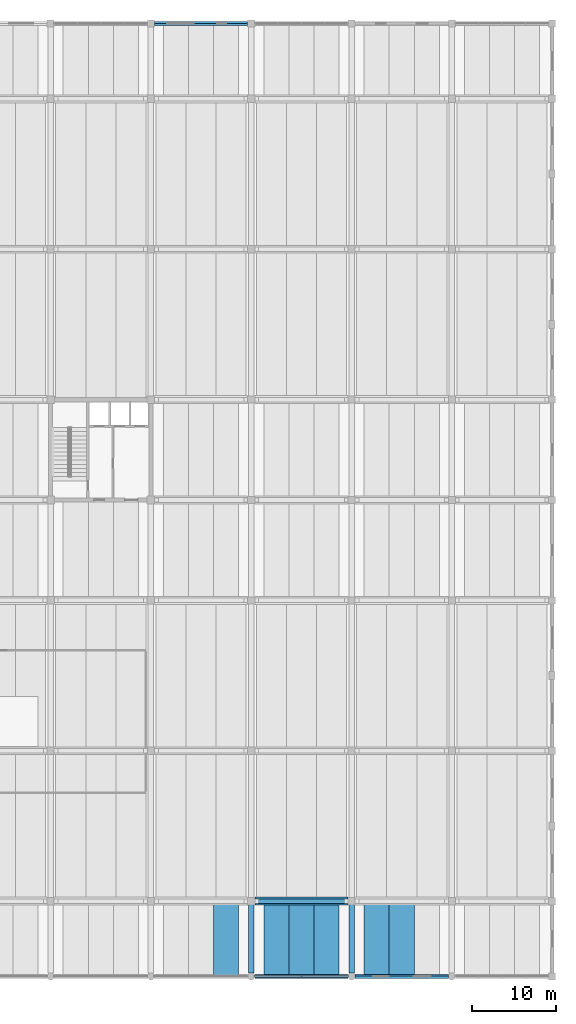
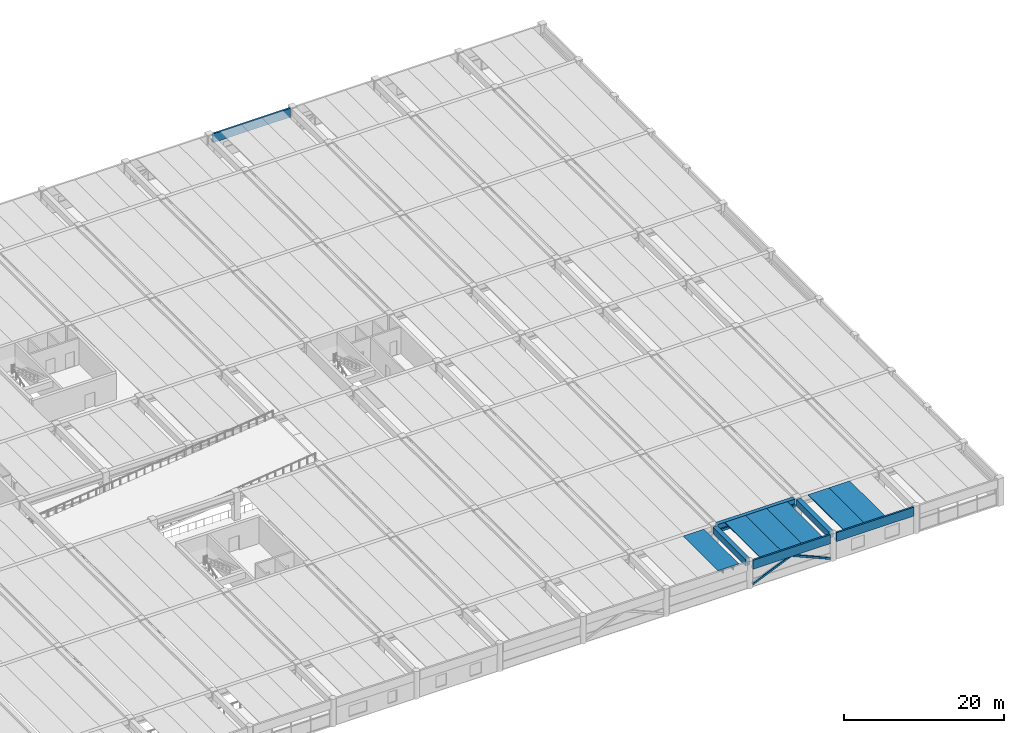
# One storey, part 22 of 50: 12 beams, 2 members.
"""IFC4 building model written with IfcOpenShell, lengths in metres."""

from ifc_helpers import new_model, si_unit, direction, frame, origin, origin_2d, place, context, subcontext, project, spatial, polyline, rectangle, hollow_rectangle, outline, extrude, material, material_profile, profile_set, type_object, element, save


model = new_model("IFC4")

# Units and contexts
model_context = context("Model", 3, precision=1e-05, world=origin(), true_north=direction((0.0, 1.0)))
body_context = subcontext(model_context, "Body", "Model", "MODEL_VIEW")
ifc_project = project(units=[si_unit("LENGTHUNIT", "METRE"), si_unit("AREAUNIT", "SQUARE_METRE"), si_unit("VOLUMEUNIT", "CUBIC_METRE"), si_unit("PLANEANGLEUNIT", "RADIAN"), si_unit("MASSUNIT", "GRAM", prefix="KILO")], contexts=[model_context])

# Site, building, storey
site_placement = place(None, origin())
site = spatial("IfcSite", under=ifc_project, at=site_placement, CompositionType="ELEMENT")
building_placement = place(site_placement, origin())
building = spatial("IfcBuilding", under=site, at=building_placement, Name="Girod Span Mobility Hub", CompositionType="ELEMENT")
storey_placement = place(building_placement, frame((0.0, 0.0, 5.39990234375)))
storey = spatial("IfcBuildingStorey", under=building, at=storey_placement, Name="L01", CompositionType="ELEMENT", Elevation=5.39990234375)

# Beams
ifc_material_1 = material(Name="Concrete C50/60", Category="concrete")
ifc_material_profile_1 = material_profile(ifc_material_1, outline(polyline([(-1.5, 0.35009765625), (-1.5, 0.2548828125), (-0.840087890625, 0.2548828125), (-0.81494140625, -0.35009765625), (-0.68505859375, -0.35009765625), (-0.659912109375, 0.2548828125), (0.659912109375, 0.2548828125), (0.68505859375, -0.35009765625), (0.81494140625, -0.35009765625), (0.840087890625, 0.2548828125), (1.5, 0.2548828125), (1.5, 0.35009765625), (-1.5, 0.35009765625)])), Name="DT-3000X700")
ifc_profile_set_1 = profile_set([ifc_material_profile_1], Name="Concrete C50/60")
beam_type_1 = type_object("IfcBeamType", Name="BM-DT-3000X700", PredefinedType="JOIST", material=ifc_profile_set_1)
for number, where, z_axis, x_axis, name in (
    (1, (129.0, 0.02197265625, 3.690185546875), (0.0, 1.0, 0.0), (-1.0, 0.0, 0.0), "Double-Tee Deck 11/A-3 L01"),
    (2, (135.0, 0.02197265625, 3.690185546875), (0.0, 1.0, 0.0), (-1.0, 0.0, 0.0), "Double-Tee Deck 12/A-1 L01"),
    (3, (138.0, 0.02197265625, 3.690185546875), (0.0, 1.0, 0.0), (-1.0, 0.0, 0.0), "Double-Tee Deck 12/A-2 L01"),
    (4, (141.0, 0.02197265625, 3.690185546875), (0.0, 1.0, 0.0), (-1.0, 0.0, 0.0), "Double-Tee Deck 12/A-3 L01"),
    (5, (147.0, 0.02197265625, 3.690185546875), (0.0, 1.0, 0.0), (-1.0, 0.0, 0.0), "Double-Tee Deck 13/A-1 L01"),
    (6, (150.0, 0.02197265625, 3.690185546875), (0.0, 1.0, 0.0), (-1.0, 0.0, 0.0), "Double-Tee Deck 13/A-2 L01"),
):
    element("IfcBeam", number, at=place(storey_placement, frame(where, z_axis=z_axis, x_axis=x_axis)), inside=storey, type_object=beam_type_1, Name=name, PredefinedType="JOIST", context=body_context, shape_type="SweptSolid", body=[
        extrude(outline(polyline([(-1.5, 0.35009765625), (-1.5, 0.2548828125), (-0.840087890625, 0.2548828125), (-0.81494140625, -0.35009765625), (-0.68505859375, -0.35009765625), (-0.659912109375, 0.2548828125), (0.659912109375, 0.2548828125), (0.68505859375, -0.35009765625), (0.81494140625, -0.35009765625), (0.840087890625, 0.2548828125), (1.5, 0.2548828125), (1.5, 0.35009765625), (-1.5, 0.35009765625)])), origin(), (0.0, 0.0, 1.0), 8.7060546875),
    ])
ifc_material_2 = material(Name="Concrete C50/60", Category="concrete")
ifc_material_profile_2 = material_profile(ifc_material_2, outline(polyline([(-0.47509765625, -0.52490234375), (0.47509765625, -0.52490234375), (0.47509765625, -0.175048828125), (0.27490234375, -0.175048828125), (0.27490234375, 0.52490234375), (-0.27490234375, 0.52490234375), (-0.27490234375, -0.175048828125), (-0.47509765625, -0.175048828125), (-0.47509765625, -0.52490234375)])), Name="IT-950X1050")
ifc_profile_set_2 = profile_set([ifc_material_profile_2], Name="Concrete C50/60")
beam_type_2 = type_object("IfcBeamType", Name="BM-IT-950X1050", PredefinedType="T_BEAM", material=ifc_profile_set_2)
beam_placement = place(storey_placement, frame((132.422119140625, 9.0, 3.51513671875), z_axis=(1.0, 0.0, 0.0), x_axis=(0.0, 1.0, 0.0)))
element("IfcBeam", 7, at=beam_placement, inside=storey, type_object=beam_type_2, Name="Girder 12-13/B L01", PredefinedType="T_BEAM", context=body_context, shape_type="SweptSolid", body=[
    extrude(outline(polyline([(-0.47509765625, -0.52490234375), (0.47509765625, -0.52490234375), (0.47509765625, -0.175048828125), (0.27490234375, -0.175048828125), (0.27490234375, 0.52490234375), (-0.27490234375, 0.52490234375), (-0.27490234375, -0.175048828125), (-0.47509765625, -0.175048828125), (-0.47509765625, -0.52490234375)])), origin(), (0.0, 0.0, 1.0), 11.15576171875),
])
ifc_material_3 = material(Name="Concrete C40/50", Category="concrete")
ifc_material_profile_3 = material_profile(ifc_material_3, outline(polyline([(-0.22509765625, -0.675048828125), (0.22509765625, -0.675048828125), (0.22509765625, -0.324951171875), (0.02490234375, -0.324951171875), (0.02490234375, 0.675048828125), (-0.22509765625, 0.675048828125), (-0.22509765625, -0.675048828125)])), Name="SP-450X1350")
ifc_profile_set_3 = profile_set([ifc_material_profile_3], Name="Concrete C40/50")
beam_type_3 = type_object("IfcBeamType", Name="BM-SP-450X1350", PredefinedType="SPANDREL", material=ifc_profile_set_3)
for number, where, z_axis, x_axis, name in (
    (8, (132.422119140625, 0.0, 3.364990234375), (1.0, 0.0, 0.0), (0.0, 1.0, 0.0), "Girder 12-13/A L01"),
    (9, (144.422119140625, 0.0, 3.364990234375), (1.0, 0.0, 0.0), (0.0, 1.0, 0.0), "Girder 13-14/A L01"),
    (10, (120.422119140625, 114.0, 3.364990234375), (1.0, 0.0, 0.0), (0.0, 1.0, 0.0), "Girder 11-12/J L01"),
):
    element("IfcBeam", number, at=place(storey_placement, frame(where, z_axis=z_axis, x_axis=x_axis)), inside=storey, type_object=beam_type_3, Name=name, PredefinedType="SPANDREL", context=body_context, shape_type="SweptSolid", body=[
        extrude(outline(polyline([(-0.22509765625, -0.675048828125), (0.22509765625, -0.675048828125), (0.22509765625, -0.324951171875), (0.02490234375, -0.324951171875), (0.02490234375, 0.675048828125), (-0.22509765625, 0.675048828125), (-0.22509765625, -0.675048828125)])), origin(), (0.0, 0.0, 1.0), 11.15576171875),
    ])
ifc_material_4 = material(Name="Concrete C40/50", Category="concrete")
ifc_material_profile_4 = material_profile(ifc_material_4, rectangle(XDim=0.64990234375, YDim=1.0, at=origin_2d()), Name="TG-650X1000")
ifc_profile_set_4 = profile_set([ifc_material_profile_4], Name="Concrete C40/50")
beam_type_4 = type_object("IfcBeamType", Name="BM-TG-650X1000", PredefinedType="T_BEAM", material=ifc_profile_set_4)
for number, where, z_axis, x_axis, name in (
    (11, (132.0, 0.422119140625, 3.5400390625), (0.0, 1.0, 0.0), (-1.0, 0.0, 0.0), "Tie Girder 12/A-B L01"),
    (12, (144.0, 0.422119140625, 3.5400390625), (0.0, 1.0, 0.0), (-1.0, 0.0, 0.0), "Tie Girder 13/A-B L01"),
):
    element("IfcBeam", number, at=place(storey_placement, frame(where, z_axis=z_axis, x_axis=x_axis)), inside=storey, type_object=beam_type_4, Name=name, PredefinedType="T_BEAM", context=body_context, shape_type="SweptSolid", body=[
        extrude(rectangle(XDim=0.64990234375, YDim=1.0, at=origin_2d()), origin(), (0.0, 0.0, 1.0), 8.15576171875),
    ])

# Members
ifc_material_5 = material(Name="Steel HSS A500 Grade C", Category="steel")
ifc_material_profile_5 = material_profile(ifc_material_5, hollow_rectangle(XDim=0.304931640625, YDim=0.304931640625, WallThickness=0.014892578125, InnerFilletRadius=0.014892578125, OuterFilletRadius=0.029541015625, at=origin_2d()), Name="HSS305X305X16")
ifc_profile_set_5 = profile_set([ifc_material_profile_5], Name="Steel HSS A500 Grade C")
member_type = type_object("IfcMemberType", Name="MB-BR-HSS305", PredefinedType="BRACE", material=ifc_profile_set_5)
for number, where, z_axis, x_axis, name in (
    (13, (132.405029296875, 0.0, 0.35009765625), (0.917828641156, 0.0, 0.396976807223), (0.0, 1.0, 0.0), "Perimeter Chevron Brace 12/A-L L01"),
    (14, (143.594970703125, 0.0, 0.35009765625), (-0.917828641156, 0.0, 0.396976807223), (0.0, -1.0, 0.0), "Perimeter Chevron Brace 12/A-R L01"),
):
    element("IfcMember", number, at=place(storey_placement, frame(where, z_axis=z_axis, x_axis=x_axis)), inside=storey, type_object=member_type, Name=name, PredefinedType="BRACE", context=body_context, shape_type="SweptSolid", body=[
        extrude(hollow_rectangle(XDim=0.304931640625, YDim=0.304931640625, WallThickness=0.014892578125, InnerFilletRadius=0.014892578125, OuterFilletRadius=0.029541015625, at=origin_2d()), origin(), (0.0, 0.0, 1.0), 6.095947265625),
    ])

save(model, "model.ifc")
